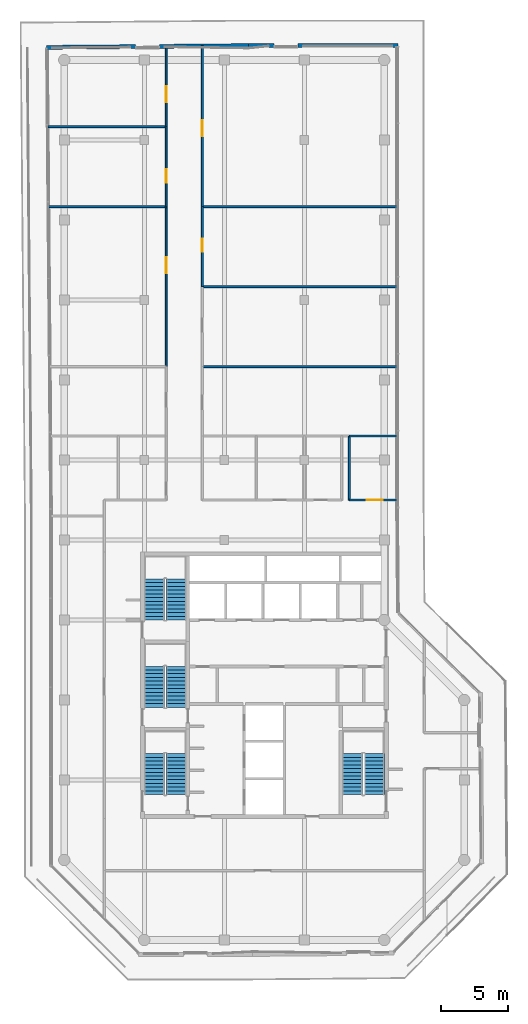
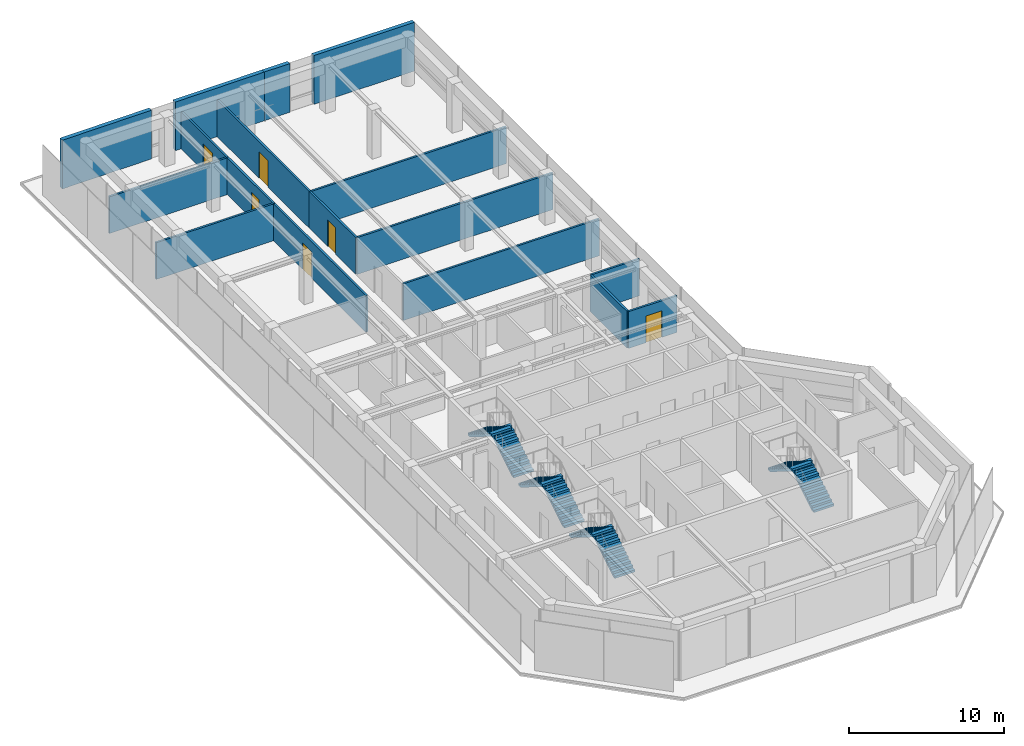
# One storey, part 16 of 18: 17 walls, 8 stair flights, 6 doors, 6 openings, 4 elements without a shape of their own.
"""IFC4 building model written with IfcOpenShell, lengths in metres."""

import ifcopenshell
import ifcopenshell.guid

model = None  # the IFC model being written
_history = None  # IfcOwnerHistory: only IFC2X3 demands one
_inside = {}  # id of a spatial element -> (the spatial element, [elements in it])
_under = {}  # id of a project, library or spatial element -> (it, [spatial elements below it])
_declared = {}  # id of a project -> (the project, [libraries it declares])
_typed = {}  # id of a type object -> (the type object, [elements of that type])
_made_of = {}  # id of a material, layer set ... -> (it, [elements and type objects made of it])


def new_model(schema):
    """Start an empty IFC model of exactly this schema.

    Asked for "IFC4X3", IfcOpenShell would pick the latest addendum, in which some entities
    have other attributes; the version numbers below select the first issue.
    IFC2X3 requires an IfcOwnerHistory on every rooted entity: one is made here for all.
    """
    global model, _history
    if schema == "IFC4X3":
        model = ifcopenshell.file(schema_version=(4, 3, 0, 0))
    else:
        model = ifcopenshell.file(schema=schema)
    _inside.clear()
    _under.clear()
    _declared.clear()
    _typed.clear()
    _made_of.clear()
    _history = None
    if model.schema == "IFC2X3":
        org = make("IfcOrganization", Name="unknown")
        user = make(
            "IfcPersonAndOrganization",
            ThePerson=make("IfcPerson", FamilyName="unknown"),
            TheOrganization=org,
        )
        app = make(
            "IfcApplication",
            ApplicationDeveloper=org,
            Version="unknown",
            ApplicationFullName="unknown",
            ApplicationIdentifier="unknown",
        )
        _history = make(
            "IfcOwnerHistory",
            OwningUser=user,
            OwningApplication=app,
            ChangeAction="ADDED",
            CreationDate=0,
        )
    return model


def make(cls, **values):
    """One entity of the class cls with the attributes given. An attribute that is None is left unset."""
    return model.create_entity(
        cls, **{name: value for name, value in values.items() if value is not None}
    )


def rooted(cls, **values):
    """An entity with a GlobalId (a new one), such as an element, a storey or a relation."""
    return make(cls, GlobalId=ifcopenshell.guid.new(), OwnerHistory=_history, **values)


def si_unit(unit_type, name, prefix=None):
    """IfcSIUnit, for example si_unit("LENGTHUNIT", "METRE", prefix="MILLI")."""
    return make("IfcSIUnit", UnitType=unit_type, Prefix=prefix, Name=name)


def assignment(units):
    """IfcUnitAssignment: the units of a project."""
    return None if units is None else make("IfcUnitAssignment", Units=units)


def point(xyz):
    """IfcCartesianPoint."""
    return None if xyz is None else make("IfcCartesianPoint", Coordinates=xyz)


def direction(xyz):
    """IfcDirection."""
    return None if xyz is None else make("IfcDirection", DirectionRatios=xyz)


def frame(location, z_axis=None, x_axis=None):
    """IfcAxis2Placement3D, a coordinate frame: its origin and axes. An axis left out is left unset."""
    return make(
        "IfcAxis2Placement3D",
        Location=point(location),
        Axis=direction(z_axis),
        RefDirection=direction(x_axis),
    )


def frame_2d(location, x_axis=None):
    """IfcAxis2Placement2D, a coordinate frame in the plane: its origin and x axis."""
    return make(
        "IfcAxis2Placement2D", Location=point(location), RefDirection=direction(x_axis)
    )


def origin():
    """The frame at (0, 0, 0) with its axes left unset."""
    return frame((0.0, 0.0, 0.0))


def place(relative_to, where):
    """IfcLocalPlacement: puts the frame where relative to a parent placement (None: the world)."""
    return make(
        "IfcLocalPlacement", PlacementRelTo=relative_to, RelativePlacement=where
    )


def context(
    kind, dimensions, precision=None, world=None, true_north=None, identifier=None
):
    """IfcGeometricRepresentationContext, for example the 3D "Model" context."""
    return make(
        "IfcGeometricRepresentationContext",
        ContextIdentifier=identifier,
        ContextType=kind,
        CoordinateSpaceDimension=dimensions,
        Precision=precision,
        WorldCoordinateSystem=world,
        TrueNorth=true_north,
    )


def subcontext(parent, identifier, kind, view, scale=None):
    """IfcGeometricRepresentationSubContext, for example "Body" below "Model"."""
    return make(
        "IfcGeometricRepresentationSubContext",
        ContextIdentifier=identifier,
        ContextType=kind,
        ParentContext=parent,
        TargetScale=scale,
        TargetView=view,
    )


def project(units=None, contexts=None):
    """IfcProject with its units and contexts."""
    return rooted(
        "IfcProject",
        Name="project",
        RepresentationContexts=contexts,
        UnitsInContext=assignment(units),
    )


def spatial(cls, under=None, at=None, **own):
    """A site, building, storey or space (cls), placed at a placement, below another one or the project."""
    s = rooted(cls, ObjectPlacement=at, **own)
    if under is not None:
        _under.setdefault(under.id(), (under, []))[1].append(s)
    return s


def polyline(points):
    """IfcPolyline through the points."""
    return make("IfcPolyline", Points=[point(p) for p in points])


def profile(cls, at=None, kind="AREA", **sizes):
    """A parametric profile (cls). Its sizes go by their IFC names, for example OverallWidth=200.0."""
    return make(cls, ProfileType=kind, Position=at, **sizes)


def rectangle(**sizes):
    """IfcRectangleProfileDef."""
    return profile("IfcRectangleProfileDef", **sizes)


def outline(outer, holes=None, kind="AREA"):
    """IfcArbitraryClosedProfileDef: a profile drawn as a closed curve; with holes, ...WithVoids."""
    if holes is None:
        return make("IfcArbitraryClosedProfileDef", ProfileType=kind, OuterCurve=outer)
    return make(
        "IfcArbitraryProfileDefWithVoids",
        ProfileType=kind,
        OuterCurve=outer,
        InnerCurves=holes,
    )


def extrude(swept, where, along, depth):
    """IfcExtrudedAreaSolid: the profile swept, set in the frame where, extruded along a direction by depth."""
    return make(
        "IfcExtrudedAreaSolid",
        SweptArea=swept,
        Position=where,
        ExtrudedDirection=direction(along),
        Depth=depth,
    )


def shape(context_of_items, identifier, shape_type, items):
    """IfcShapeRepresentation: the items that make up one representation, for example the "Body"."""
    return make(
        "IfcShapeRepresentation",
        ContextOfItems=context_of_items,
        RepresentationIdentifier=identifier,
        RepresentationType=shape_type,
        Items=items,
    )


def material(Name=None, Category=None):
    """IfcMaterial."""
    return make("IfcMaterial", Name=Name, Category=Category)


def layer(
    of_material, thickness, ventilated=None, Name=None, Category=None, Priority=None
):
    """IfcMaterialLayer: one layer of a wall or slab, of a material (None: an air gap)."""
    return make(
        "IfcMaterialLayer",
        Material=of_material,
        LayerThickness=thickness,
        IsVentilated=ventilated,
        Name=Name,
        Category=Category,
        Priority=Priority,
    )


def layer_set(layers, Name=None):
    """IfcMaterialLayerSet."""
    return make("IfcMaterialLayerSet", MaterialLayers=layers, LayerSetName=Name)


def made_of(thing, what):
    """Note that an element or type object is made of a material, layer set ...; save() writes the relation."""
    if what is not None:
        _made_of.setdefault(what.id(), (what, []))[1].append(thing)
    return thing


def type_object(cls, material=None, **own):
    """A type object (cls), such as IfcWallType, which elements share."""
    return made_of(rooted(cls, **own), material)


def element(
    cls,
    number,
    at=None,
    inside=None,
    cuts=None,
    type_object=None,
    material=None,
    context=None,
    identifier="Body",
    shape_type=None,
    held_by="IfcProductDefinitionShape",
    body=None,
    shapes=None,
    **own,
):
    """One element of the class cls, such as IfcWall. Its Tag is "e" and its number.

    at: its placement. inside: the storey or other place that contains it. cuts: it is an
    opening in that element (IfcRelVoidsElement). A single representation is given by context,
    identifier, shape_type and body (its items); several are given by shapes. held_by: the class
    of the entity that holds the representations. save() writes the other relations.
    """
    e = rooted(cls, Tag="e%d" % number, ObjectPlacement=at, **own)
    if body is not None:
        shapes = [shape(context, identifier, shape_type, body)]
    if shapes is not None:
        e.Representation = make(held_by, Representations=shapes)
    if inside is not None:
        _inside.setdefault(inside.id(), (inside, []))[1].append(e)
    if cuts is not None:
        rooted(
            "IfcRelVoidsElement", RelatingBuildingElement=cuts, RelatedOpeningElement=e
        )
    if type_object is not None:
        _typed.setdefault(type_object.id(), (type_object, []))[1].append(e)
    return made_of(e, material)


def fill(opening, filler):
    """IfcRelFillsElement: the door or window that sits in an opening."""
    return rooted(
        "IfcRelFillsElement",
        RelatingOpeningElement=opening,
        RelatedBuildingElement=filler,
    )


def aggregate(whole, parts):
    """IfcRelAggregates: a whole, such as a stair, and the parts it consists of."""
    return rooted("IfcRelAggregates", RelatingObject=whole, RelatedObjects=parts)


def save(model, path):
    """Write the relations noted so far, then the file.

    IfcRelAggregates (storeys below a building ...), IfcRelContainedInSpatialStructure (elements
    in a storey), IfcRelDefinesByType, IfcRelAssociatesMaterial and IfcRelDeclares: one each for
    every whole, place, type object, material and project.
    """
    for whole, parts in _under.values():
        aggregate(whole, parts)
    for where, things in _inside.values():
        rooted(
            "IfcRelContainedInSpatialStructure",
            RelatedElements=things,
            RelatingStructure=where,
        )
    for kind, things in _typed.values():
        rooted("IfcRelDefinesByType", RelatedObjects=things, RelatingType=kind)
    for what, things in _made_of.values():
        rooted("IfcRelAssociatesMaterial", RelatedObjects=things, RelatingMaterial=what)
    for by, libraries in _declared.values():
        rooted("IfcRelDeclares", RelatingContext=by, RelatedDefinitions=libraries)
    model.write(path)


model = new_model("IFC4")

# Units and contexts
model_context = context("Model", 3, precision=1e-05, world=origin(), true_north=direction((0.0, 1.0)))
body_context = subcontext(model_context, "Body", "Model", "MODEL_VIEW")
ifc_project = project(units=[si_unit("LENGTHUNIT", "METRE"), si_unit("AREAUNIT", "SQUARE_METRE"), si_unit("VOLUMEUNIT", "CUBIC_METRE"), si_unit("PLANEANGLEUNIT", "RADIAN"), si_unit("MASSUNIT", "GRAM", prefix="KILO")], contexts=[model_context])

# Site, building, storey
site_placement = place(None, origin())
site = spatial("IfcSite", under=ifc_project, at=site_placement, CompositionType="ELEMENT")
building_placement = place(site_placement, origin())
building = spatial("IfcBuilding", under=site, at=building_placement, Name="Welwitschia Terrace Campus", CompositionType="ELEMENT")
storey_placement = place(building_placement, frame((0.0, 0.0, 289.39990234375)))
storey = spatial("IfcBuildingStorey", under=building, at=storey_placement, Name="L64", CompositionType="ELEMENT", Elevation=289.39990234375)

# Walls
ifc_material_1 = material(Name="Gypsum board on steel studs", Category="steel")
ifc_layer_1 = layer(ifc_material_1, 0.14990234375)
ifc_layer_set_1 = layer_set([ifc_layer_1], Name="Gypsum board on steel studs")
wall_type_1 = type_object("IfcWallType", Name="Corridor partition 150 EI 30", PredefinedType="PARTITIONING", material=ifc_layer_set_1)
wall_1_placement = place(storey_placement, frame((-1.21630859375, 57.0, 0.0), z_axis=(0.0, 0.0, 1.0), x_axis=(1.0, 0.0, 0.0)))
element("IfcWall", 1, at=wall_1_placement, inside=storey, type_object=wall_type_1, Name="Partition", PredefinedType="PARTITIONING", context=body_context, shape_type="SweptSolid", body=[
    extrude(rectangle(XDim=8.8662109375, YDim=0.14990234375, at=frame_2d((4.43310546875, 0.0))), origin(), (0.0, 0.0, 1.0), 2.900146484375),
])
wall_2_placement = place(storey_placement, frame((-1.179931640625, 51.0, 0.0), z_axis=(0.0, 0.0, 1.0), x_axis=(1.0, 0.0, 0.0)))
element("IfcWall", 2, at=wall_2_placement, inside=storey, type_object=wall_type_1, Name="Partition", PredefinedType="PARTITIONING", context=body_context, shape_type="SweptSolid", body=[
    extrude(rectangle(XDim=8.829833984375, YDim=0.14990234375, at=frame_2d((4.4150390625, 0.0))), origin(), (0.0, 0.0, 1.0), 2.900146484375),
])

# Wall, opening, door
wall_3_placement = place(storey_placement, frame((7.64990234375, 39.0, 0.0), z_axis=(0.0, 0.0, 1.0), x_axis=(0.0, 1.0, 0.0)))
wall_3 = element("IfcWall", 3, at=wall_3_placement, inside=storey, type_object=wall_type_1, Name="Partition", PredefinedType="PARTITIONING", context=body_context, shape_type="SweptSolid", body=[
    extrude(rectangle(XDim=12.0, YDim=0.14990234375, at=frame_2d((6.0, 0.0))), origin(), (0.0, 0.0, 1.0), 2.900146484375),
])
opening_1_placement = place(wall_3_placement, frame((7.0, 0.0, 0.0)))
opening_1 = element("IfcOpeningElement", 4, at=opening_1_placement, cuts=wall_3, Name="Opening DI12", PredefinedType="OPENING", context=body_context, shape_type="SweptSolid", body=[
    extrude(rectangle(XDim=1.199951171875, YDim=2.10009765625, at=frame_2d((0.60009765625, 1.050048828125))), frame((0.0, 0.0849609375, 0.0), z_axis=(0.0, -1.0, 0.0), x_axis=(1.0, 0.0, 0.0)), (0.0, 0.0, 1.0), 0.169921875),
])
ifc_material_2 = material(Name="Timber veneered door", Category="wood")
door_type_1 = type_object("IfcDoorType", Name="Interior door DI12", OperationType="NOTDEFINED", PredefinedType="DOOR", material=ifc_material_2)
door_1_placement = place(opening_1_placement, origin())
door_1 = element("IfcDoor", 5, at=door_1_placement, inside=storey, type_object=door_type_1, Name="Door L64 1139", OperationType="SINGLE_SWING_RIGHT", OverallHeight=2.10009765625, OverallWidth=1.199951171875, PredefinedType="DOOR", context=body_context, shape_type="SweptSolid", body=[
    extrude(rectangle(XDim=1.199951171875, YDim=2.10009765625, at=frame_2d((0.60009765625, 1.050048828125))), frame((0.0, 0.02490234375, 0.0), z_axis=(0.0, -1.0, 0.0), x_axis=(1.0, 0.0, 0.0)), (0.0, 0.0, 1.0), 0.050048828125),
])
fill(opening_1, door_1)

wall_4_placement = place(storey_placement, frame((7.64990234375, 51.0, 0.0), z_axis=(0.0, 0.0, 1.0), x_axis=(0.0, 1.0, 0.0)))
wall_4 = element("IfcWall", 6, at=wall_4_placement, inside=storey, type_object=wall_type_1, Name="Partition", PredefinedType="PARTITIONING", context=body_context, shape_type="SweptSolid", body=[
    extrude(rectangle(XDim=6.0, YDim=0.14990234375, at=frame_2d((3.0, 0.0))), origin(), (0.0, 0.0, 1.0), 2.900146484375),
])
opening_2_placement = place(wall_4_placement, frame((1.800048828125, 0.0, 0.0)))
opening_2 = element("IfcOpeningElement", 7, at=opening_2_placement, cuts=wall_4, Name="Opening DI10", PredefinedType="OPENING", context=body_context, shape_type="SweptSolid", body=[
    extrude(rectangle(XDim=1.0, YDim=2.10009765625, at=frame_2d((0.5, 1.050048828125))), frame((0.0, 0.0849609375, 0.0), z_axis=(0.0, -1.0, 0.0), x_axis=(1.0, 0.0, 0.0)), (0.0, 0.0, 1.0), 0.169921875),
])
ifc_material_3 = material(Name="Timber veneered door", Category="wood")
door_type_2 = type_object("IfcDoorType", Name="Interior door DI10", OperationType="NOTDEFINED", PredefinedType="DOOR", material=ifc_material_3)
door_2_placement = place(opening_2_placement, origin())
door_2 = element("IfcDoor", 8, at=door_2_placement, inside=storey, type_object=door_type_2, Name="Door L64 1140", OperationType="SINGLE_SWING_LEFT", OverallHeight=2.10009765625, OverallWidth=1.0, PredefinedType="DOOR", context=body_context, shape_type="SweptSolid", body=[
    extrude(rectangle(XDim=1.0, YDim=2.10009765625, at=frame_2d((0.5, 1.050048828125))), frame((0.0, 0.02490234375, 0.0), z_axis=(0.0, -1.0, 0.0), x_axis=(1.0, 0.0, 0.0)), (0.0, 0.0, 1.0), 0.050048828125),
])
fill(opening_2, door_2)

wall_5_placement = place(storey_placement, frame((7.64990234375, 57.0, 0.0), z_axis=(0.0, 0.0, 1.0), x_axis=(0.0, 1.0, 0.0)))
wall_5 = element("IfcWall", 9, at=wall_5_placement, inside=storey, type_object=wall_type_1, Name="Partition", PredefinedType="PARTITIONING", context=body_context, shape_type="SweptSolid", body=[
    extrude(rectangle(XDim=6.0361328125, YDim=0.14990234375, at=frame_2d((3.01806640625, 0.0))), origin(), (0.0, 0.0, 1.0), 2.900146484375),
])
opening_3_placement = place(wall_5_placement, frame((1.830078125, 0.0, 0.0)))
opening_3 = element("IfcOpeningElement", 10, at=opening_3_placement, cuts=wall_5, Name="Opening DI12", PredefinedType="OPENING", context=body_context, shape_type="SweptSolid", body=[
    extrude(rectangle(XDim=1.199951171875, YDim=2.10009765625, at=frame_2d((0.60009765625, 1.050048828125))), frame((0.0, 0.0849609375, 0.0), z_axis=(0.0, -1.0, 0.0), x_axis=(1.0, 0.0, 0.0)), (0.0, 0.0, 1.0), 0.169921875),
])
door_3_placement = place(opening_3_placement, origin())
door_3 = element("IfcDoor", 11, at=door_3_placement, inside=storey, type_object=door_type_1, Name="Door L64 1141", OperationType="SINGLE_SWING_RIGHT", OverallHeight=2.10009765625, OverallWidth=1.199951171875, PredefinedType="DOOR", context=body_context, shape_type="SweptSolid", body=[
    extrude(rectangle(XDim=1.199951171875, YDim=2.10009765625, at=frame_2d((0.60009765625, 1.050048828125))), frame((0.0, 0.02490234375, 0.0), z_axis=(0.0, -1.0, 0.0), x_axis=(1.0, 0.0, 0.0)), (0.0, 0.0, 1.0), 0.050048828125),
])
fill(opening_3, door_3)

# Walls
for number, where, z_axis, x_axis, name in (
    (12, (10.35009765625, 39.0, 0.0), (0.0, 0.0, 1.0), (1.0, 0.0, 0.0), "Partition"),
    (13, (10.35009765625, 45.0, 0.0), (0.0, 0.0, 1.0), (1.0, 0.0, 0.0), "Partition"),
):
    element("IfcWall", number, at=place(storey_placement, frame(where, z_axis=z_axis, x_axis=x_axis)), inside=storey, type_object=wall_type_1, Name=name, PredefinedType="PARTITIONING", context=body_context, shape_type="SweptSolid", body=[
        extrude(rectangle(XDim=14.6298828125, YDim=0.14990234375, at=frame_2d((7.31494140625, 0.0))), origin(), (0.0, 0.0, 1.0), 2.900146484375),
    ])

# Wall, opening, door
wall_6_placement = place(storey_placement, frame((10.35009765625, 51.0, 0.0), z_axis=(0.0, 0.0, 1.0), x_axis=(0.0, -1.0, 0.0)))
wall_6 = element("IfcWall", 14, at=wall_6_placement, inside=storey, type_object=wall_type_1, Name="Partition", PredefinedType="PARTITIONING", context=body_context, shape_type="SweptSolid", body=[
    extrude(rectangle(XDim=6.0, YDim=0.14990234375, at=frame_2d((3.0, 0.0))), origin(), (0.0, 0.0, 1.0), 2.900146484375),
])
opening_4_placement = place(wall_6_placement, frame((2.39990234375, 0.0, 0.0)))
opening_4 = element("IfcOpeningElement", 15, at=opening_4_placement, cuts=wall_6, Name="Opening DI10", PredefinedType="OPENING", context=body_context, shape_type="SweptSolid", body=[
    extrude(rectangle(XDim=1.0, YDim=2.10009765625, at=frame_2d((0.5, 1.050048828125))), frame((0.0, 0.0849609375, 0.0), z_axis=(0.0, -1.0, 0.0), x_axis=(1.0, 0.0, 0.0)), (0.0, 0.0, 1.0), 0.169921875),
])
door_4_placement = place(opening_4_placement, origin())
door_4 = element("IfcDoor", 16, at=door_4_placement, inside=storey, type_object=door_type_2, Name="Door L64 1144", OperationType="SINGLE_SWING_LEFT", OverallHeight=2.10009765625, OverallWidth=1.0, PredefinedType="DOOR", context=body_context, shape_type="SweptSolid", body=[
    extrude(rectangle(XDim=1.0, YDim=2.10009765625, at=frame_2d((0.5, 1.050048828125))), frame((0.0, 0.02490234375, 0.0), z_axis=(0.0, -1.0, 0.0), x_axis=(1.0, 0.0, 0.0)), (0.0, 0.0, 1.0), 0.050048828125),
])
fill(opening_4, door_4)

# Wall
wall_7_placement = place(storey_placement, frame((10.35009765625, 51.0, 0.0), z_axis=(0.0, 0.0, 1.0), x_axis=(1.0, 0.0, 0.0)))
element("IfcWall", 17, at=wall_7_placement, inside=storey, type_object=wall_type_1, Name="Partition", PredefinedType="PARTITIONING", context=body_context, shape_type="SweptSolid", body=[
    extrude(rectangle(XDim=14.6298828125, YDim=0.14990234375, at=frame_2d((7.31494140625, 0.0))), origin(), (0.0, 0.0, 1.0), 2.900146484375),
])

# Wall, opening, door
wall_8_placement = place(storey_placement, frame((10.35009765625, 63.059814453125, 0.0), z_axis=(0.0, 0.0, 1.0), x_axis=(0.0, -1.0, 0.0)))
wall_8 = element("IfcWall", 18, at=wall_8_placement, inside=storey, type_object=wall_type_1, Name="Partition", PredefinedType="PARTITIONING", context=body_context, shape_type="SweptSolid", body=[
    extrude(rectangle(XDim=12.059814453125, YDim=0.14990234375, at=frame_2d((6.02978515625, 0.0))), origin(), (0.0, 0.0, 1.0), 2.900146484375),
])
opening_5_placement = place(wall_8_placement, frame((5.559814453125, 0.0, 0.0)))
opening_5 = element("IfcOpeningElement", 19, at=opening_5_placement, cuts=wall_8, Name="Opening DI12", PredefinedType="OPENING", context=body_context, shape_type="SweptSolid", body=[
    extrude(rectangle(XDim=1.199951171875, YDim=2.10009765625, at=frame_2d((0.60009765625, 1.050048828125))), frame((0.0, 0.0849609375, 0.0), z_axis=(0.0, -1.0, 0.0), x_axis=(1.0, 0.0, 0.0)), (0.0, 0.0, 1.0), 0.169921875),
])
door_5_placement = place(opening_5_placement, origin())
door_5 = element("IfcDoor", 20, at=door_5_placement, inside=storey, type_object=door_type_1, Name="Door L64 1145", OperationType="SINGLE_SWING_RIGHT", OverallHeight=2.10009765625, OverallWidth=1.199951171875, PredefinedType="DOOR", context=body_context, shape_type="SweptSolid", body=[
    extrude(rectangle(XDim=1.199951171875, YDim=2.10009765625, at=frame_2d((0.60009765625, 1.050048828125))), frame((0.0, 0.02490234375, 0.0), z_axis=(0.0, -1.0, 0.0), x_axis=(1.0, 0.0, 0.0)), (0.0, 0.0, 1.0), 0.050048828125),
])
fill(opening_5, door_5)

# Wall
wall_9_placement = place(storey_placement, frame((21.3798828125, 29.0, 0.0), z_axis=(0.0, 0.0, 1.0), x_axis=(0.0, 1.0, 0.0)))
element("IfcWall", 21, at=wall_9_placement, inside=storey, type_object=wall_type_1, Name="Partition", PredefinedType="PARTITIONING", context=body_context, shape_type="SweptSolid", body=[
    extrude(rectangle(XDim=4.800048828125, YDim=0.14990234375, at=frame_2d((2.39990234375, 0.0))), origin(), (0.0, 0.0, 1.0), 2.900146484375),
])

# Wall, opening, door
wall_10_placement = place(storey_placement, frame((21.3798828125, 29.0, 0.0), z_axis=(0.0, 0.0, 1.0), x_axis=(1.0, 0.0, 0.0)))
wall_10 = element("IfcWall", 22, at=wall_10_placement, inside=storey, type_object=wall_type_1, Name="Partition", PredefinedType="PARTITIONING", context=body_context, shape_type="SweptSolid", body=[
    extrude(rectangle(XDim=3.60009765625, YDim=0.14990234375, at=frame_2d((1.800048828125, 0.0))), origin(), (0.0, 0.0, 1.0), 2.900146484375),
])
opening_6_placement = place(wall_10_placement, frame((1.300048828125, 0.0, 0.0)))
opening_6 = element("IfcOpeningElement", 23, at=opening_6_placement, cuts=wall_10, Name="Opening DX12", PredefinedType="OPENING", context=body_context, shape_type="SweptSolid", body=[
    extrude(rectangle(XDim=1.199951171875, YDim=2.10009765625, at=frame_2d((0.60009765625, 1.050048828125))), frame((0.0, 0.0849609375, 0.0), z_axis=(0.0, -1.0, 0.0), x_axis=(1.0, 0.0, 0.0)), (0.0, 0.0, 1.0), 0.169921875),
])
ifc_material_4 = material(Name="Timber veneered door", Category="wood")
door_type_3 = type_object("IfcDoorType", Name="Interior door DX12", OperationType="NOTDEFINED", PredefinedType="DOOR", material=ifc_material_4)
door_6_placement = place(opening_6_placement, origin())
door_6 = element("IfcDoor", 24, at=door_6_placement, inside=storey, type_object=door_type_3, Name="Door L64 1148", OperationType="SINGLE_SWING_LEFT", OverallHeight=2.10009765625, OverallWidth=1.199951171875, PredefinedType="DOOR", context=body_context, shape_type="SweptSolid", body=[
    extrude(rectangle(XDim=1.199951171875, YDim=2.10009765625, at=frame_2d((0.60009765625, 1.050048828125))), frame((0.0, 0.02490234375, 0.0), z_axis=(0.0, -1.0, 0.0), x_axis=(1.0, 0.0, 0.0)), (0.0, 0.0, 1.0), 0.050048828125),
])
fill(opening_6, door_6)

# Walls
wall_11_placement = place(storey_placement, frame((21.3798828125, 33.800048828125, 0.0), z_axis=(0.0, 0.0, 1.0), x_axis=(1.0, 0.0, 0.0)))
element("IfcWall", 25, at=wall_11_placement, inside=storey, type_object=wall_type_1, Name="Partition", PredefinedType="PARTITIONING", context=body_context, shape_type="SweptSolid", body=[
    extrude(rectangle(XDim=3.60009765625, YDim=0.14990234375, at=frame_2d((1.800048828125, 0.0))), origin(), (0.0, 0.0, 1.0), 2.900146484375),
])
ifc_material_5 = material(Name="Concrete C40/50", Category="concrete")
ifc_layer_2 = layer(ifc_material_5, 0.300048828125)
ifc_layer_set_2 = layer_set([ifc_layer_2], Name="Concrete C40/50")
wall_type_2 = type_object("IfcWallType", Name="Mass wall 300", PredefinedType="SOLIDWALL", material=ifc_layer_set_2)
wall_12_placement = place(storey_placement, frame((25.030029296875, 63.078125, 0.0), z_axis=(0.0, 0.0, 1.0), x_axis=(-1.0, 0.0, 0.0)))
element("IfcWall", 26, at=wall_12_placement, inside=storey, type_object=wall_type_2, Name="Mass wall L64.10.0", PredefinedType="SOLIDWALL", context=body_context, shape_type="SweptSolid", body=[
    extrude(rectangle(XDim=7.506103515625, YDim=0.300048828125, at=frame_2d((3.7529296875, 0.0))), origin(), (0.0, 0.0, 1.0), 3.85009765625),
])
wall_13_placement = place(storey_placement, frame((15.723876953125, 63.080078125, 0.0), z_axis=(0.0, 0.0, 1.0), x_axis=(-1.0, 0.0, 0.0)))
element("IfcWall", 27, at=wall_13_placement, inside=storey, type_object=wall_type_2, Name="Mass wall L64.10.1", PredefinedType="SOLIDWALL", context=body_context, shape_type="SweptSolid", body=[
    extrude(rectangle(XDim=1.902099609375, YDim=0.300048828125, at=frame_2d((0.951171875, 0.0))), origin(), (0.0, 0.0, 1.0), 3.85009765625),
])
wall_14_placement = place(storey_placement, frame((13.8212890625, 63.080078125, 0.0), z_axis=(0.0, 0.0, 1.0), x_axis=(-0.999961815264, -0.008738879401, 0.0)))
element("IfcWall", 28, at=wall_14_placement, inside=storey, type_object=wall_type_2, Name="Mass wall L64.11.0", PredefinedType="SOLIDWALL", context=body_context, shape_type="SweptSolid", body=[
    extrude(rectangle(XDim=6.677001953125, YDim=0.300048828125, at=frame_2d((3.33837890625, 0.0))), origin(), (0.0, 0.0, 1.0), 3.85009765625),
])
wall_15_placement = place(storey_placement, frame((5.3447265625, 63.004150390625, 0.0), z_axis=(0.0, 0.0, 1.0), x_axis=(-0.999961818057, -0.008738559893, 0.0)))
element("IfcWall", 29, at=wall_15_placement, inside=storey, type_object=wall_type_2, Name="Mass wall L64.11.1", PredefinedType="SOLIDWALL", context=body_context, shape_type="SweptSolid", body=[
    extrude(rectangle(XDim=6.67724609375, YDim=0.300048828125, at=frame_2d((3.338623046875, 0.0))), origin(), (0.0, 0.0, 1.0), 3.85009765625),
])

# Stair, stair flights
ifc_material_6 = material(Name="Concrete C40/50", Category="concrete")
stair_type = type_object("IfcStairType", Name="Stair 24R 175 W1500", PredefinedType="HALF_TURN_STAIR", material=ifc_material_6)
stair_1_placement = place(storey_placement, origin())
stair_1 = element("IfcStair", 30, at=stair_1_placement, inside=storey, type_object=stair_type, Name="L64 Exit stair S1", PredefinedType="HALF_TURN_STAIR")
ifc_material_7 = material(Name="Concrete C40/50", Category="concrete")
stair_flight_type = type_object("IfcStairFlightType", Name="Stair flight 24R 175 W1500", PredefinedType="STRAIGHT", material=ifc_material_7)
stair_flight_1_placement = place(storey_placement, frame((8.39990234375, 6.89990234375, 0.0), z_axis=(0.0, 0.0, 1.0), x_axis=(0.0, 1.0, 0.0)))
stair_flight_1 = element("IfcStairFlight", 31, at=stair_flight_1_placement, type_object=stair_flight_type, Name="S1 flight 1", NumberOfRisers=12, NumberOfTreads=11, PredefinedType="STRAIGHT", RiserHeight=0.175, TreadLength=0.28, context=body_context, shape_type="SweptSolid", body=[
    extrude(outline(polyline([(0.0, 0.0), (0.0, 0.175048828125), (0.280029296875, 0.175048828125), (0.280029296875, 0.35009765625), (0.56005859375, 0.35009765625), (0.56005859375, 0.52490234375), (0.840087890625, 0.52490234375), (0.840087890625, 0.699951171875), (1.1201171875, 0.699951171875), (1.1201171875, 0.875), (1.39990234375, 0.875), (1.39990234375, 1.050048828125), (1.679931640625, 1.050048828125), (1.679931640625, 1.22509765625), (1.9599609375, 1.22509765625), (1.9599609375, 1.39990234375), (2.239990234375, 1.39990234375), (2.239990234375, 1.574951171875), (2.52001953125, 1.574951171875), (2.52001953125, 1.75), (2.800048828125, 1.75), (2.800048828125, 1.925048828125), (3.080078125, 1.925048828125), (3.080078125, 2.10009765625), (3.080078125, 1.748291015625), (0.28271484375, 0.0), (0.0, 0.0)])), frame((0.0, 0.75, 0.0), z_axis=(0.0, -1.0, 0.0), x_axis=(1.0, 0.0, 0.0)), (0.0, 0.0, 1.0), 1.5),
])
stair_flight_2_placement = place(storey_placement, frame((6.75, 9.97998046875, 2.10009765625), z_axis=(0.0, 0.0, 1.0), x_axis=(0.0, -1.0, 0.0)))
stair_flight_2 = element("IfcStairFlight", 32, at=stair_flight_2_placement, type_object=stair_flight_type, Name="S1 flight 2", NumberOfRisers=12, NumberOfTreads=11, PredefinedType="STRAIGHT", RiserHeight=0.175, TreadLength=0.28, context=body_context, shape_type="SweptSolid", body=[
    extrude(outline(polyline([(0.0, 0.0), (0.0, 0.175048828125), (0.280029296875, 0.175048828125), (0.280029296875, 0.35009765625), (0.56005859375, 0.35009765625), (0.56005859375, 0.52490234375), (0.840087890625, 0.52490234375), (0.840087890625, 0.699951171875), (1.1201171875, 0.699951171875), (1.1201171875, 0.875), (1.39990234375, 0.875), (1.39990234375, 1.050048828125), (1.679931640625, 1.050048828125), (1.679931640625, 1.22509765625), (1.9599609375, 1.22509765625), (1.9599609375, 1.39990234375), (2.239990234375, 1.39990234375), (2.239990234375, 1.574951171875), (2.52001953125, 1.574951171875), (2.52001953125, 1.75), (2.800048828125, 1.75), (2.800048828125, 1.925048828125), (3.080078125, 1.925048828125), (3.080078125, 2.10009765625), (3.080078125, 1.748291015625), (0.28271484375, 0.0), (0.0, 0.0)])), frame((0.0, 0.75, 0.0), z_axis=(0.0, -1.0, 0.0), x_axis=(1.0, 0.0, 0.0)), (0.0, 0.0, 1.0), 1.5),
])
aggregate(stair_1, [stair_flight_1, stair_flight_2])

stair_2_placement = place(storey_placement, origin())
stair_2 = element("IfcStair", 33, at=stair_2_placement, inside=storey, type_object=stair_type, Name="L64 Exit stair S3", PredefinedType="HALF_TURN_STAIR")
stair_flight_3_placement = place(storey_placement, frame((8.39990234375, 13.449951171875, 0.0), z_axis=(0.0, 0.0, 1.0), x_axis=(0.0, 1.0, 0.0)))
stair_flight_3 = element("IfcStairFlight", 34, at=stair_flight_3_placement, type_object=stair_flight_type, Name="S3 flight 1", NumberOfRisers=12, NumberOfTreads=11, PredefinedType="STRAIGHT", RiserHeight=0.175, TreadLength=0.28, context=body_context, shape_type="SweptSolid", body=[
    extrude(outline(polyline([(0.0, 0.0), (0.0, 0.175048828125), (0.280029296875, 0.175048828125), (0.280029296875, 0.35009765625), (0.56005859375, 0.35009765625), (0.56005859375, 0.52490234375), (0.840087890625, 0.52490234375), (0.840087890625, 0.699951171875), (1.1201171875, 0.699951171875), (1.1201171875, 0.875), (1.39990234375, 0.875), (1.39990234375, 1.050048828125), (1.679931640625, 1.050048828125), (1.679931640625, 1.22509765625), (1.9599609375, 1.22509765625), (1.9599609375, 1.39990234375), (2.239990234375, 1.39990234375), (2.239990234375, 1.574951171875), (2.52001953125, 1.574951171875), (2.52001953125, 1.75), (2.800048828125, 1.75), (2.800048828125, 1.925048828125), (3.080078125, 1.925048828125), (3.080078125, 2.10009765625), (3.080078125, 1.748291015625), (0.28271484375, 0.0), (0.0, 0.0)])), frame((0.0, 0.75, 0.0), z_axis=(0.0, -1.0, 0.0), x_axis=(1.0, 0.0, 0.0)), (0.0, 0.0, 1.0), 1.5),
])
stair_flight_4_placement = place(storey_placement, frame((6.75, 16.530029296875, 2.10009765625), z_axis=(0.0, 0.0, 1.0), x_axis=(0.0, -1.0, 0.0)))
stair_flight_4 = element("IfcStairFlight", 35, at=stair_flight_4_placement, type_object=stair_flight_type, Name="S3 flight 2", NumberOfRisers=12, NumberOfTreads=11, PredefinedType="STRAIGHT", RiserHeight=0.175, TreadLength=0.28, context=body_context, shape_type="SweptSolid", body=[
    extrude(outline(polyline([(0.0, 0.0), (0.0, 0.175048828125), (0.280029296875, 0.175048828125), (0.280029296875, 0.35009765625), (0.56005859375, 0.35009765625), (0.56005859375, 0.52490234375), (0.840087890625, 0.52490234375), (0.840087890625, 0.699951171875), (1.1201171875, 0.699951171875), (1.1201171875, 0.875), (1.39990234375, 0.875), (1.39990234375, 1.050048828125), (1.679931640625, 1.050048828125), (1.679931640625, 1.22509765625), (1.9599609375, 1.22509765625), (1.9599609375, 1.39990234375), (2.239990234375, 1.39990234375), (2.239990234375, 1.574951171875), (2.52001953125, 1.574951171875), (2.52001953125, 1.75), (2.800048828125, 1.75), (2.800048828125, 1.925048828125), (3.080078125, 1.925048828125), (3.080078125, 2.10009765625), (3.080078125, 1.748291015625), (0.28271484375, 0.0), (0.0, 0.0)])), frame((0.0, 0.75, 0.0), z_axis=(0.0, -1.0, 0.0), x_axis=(1.0, 0.0, 0.0)), (0.0, 0.0, 1.0), 1.5),
])
aggregate(stair_2, [stair_flight_3, stair_flight_4])

stair_3_placement = place(storey_placement, origin())
stair_3 = element("IfcStair", 36, at=stair_3_placement, inside=storey, type_object=stair_type, Name="L64 Exit stair S4", PredefinedType="HALF_TURN_STAIR")
stair_flight_5_placement = place(storey_placement, frame((8.39990234375, 20.0, 0.0), z_axis=(0.0, 0.0, 1.0), x_axis=(0.0, 1.0, 0.0)))
stair_flight_5 = element("IfcStairFlight", 37, at=stair_flight_5_placement, type_object=stair_flight_type, Name="S4 flight 1", NumberOfRisers=12, NumberOfTreads=11, PredefinedType="STRAIGHT", RiserHeight=0.175, TreadLength=0.28, context=body_context, shape_type="SweptSolid", body=[
    extrude(outline(polyline([(0.0, 0.0), (0.0, 0.175048828125), (0.280029296875, 0.175048828125), (0.280029296875, 0.35009765625), (0.56005859375, 0.35009765625), (0.56005859375, 0.52490234375), (0.840087890625, 0.52490234375), (0.840087890625, 0.699951171875), (1.1201171875, 0.699951171875), (1.1201171875, 0.875), (1.39990234375, 0.875), (1.39990234375, 1.050048828125), (1.679931640625, 1.050048828125), (1.679931640625, 1.22509765625), (1.9599609375, 1.22509765625), (1.9599609375, 1.39990234375), (2.239990234375, 1.39990234375), (2.239990234375, 1.574951171875), (2.52001953125, 1.574951171875), (2.52001953125, 1.75), (2.800048828125, 1.75), (2.800048828125, 1.925048828125), (3.080078125, 1.925048828125), (3.080078125, 2.10009765625), (3.080078125, 1.748291015625), (0.28271484375, 0.0), (0.0, 0.0)])), frame((0.0, 0.75, 0.0), z_axis=(0.0, -1.0, 0.0), x_axis=(1.0, 0.0, 0.0)), (0.0, 0.0, 1.0), 1.5),
])
stair_flight_6_placement = place(storey_placement, frame((6.75, 23.080078125, 2.10009765625), z_axis=(0.0, 0.0, 1.0), x_axis=(0.0, -1.0, 0.0)))
stair_flight_6 = element("IfcStairFlight", 38, at=stair_flight_6_placement, type_object=stair_flight_type, Name="S4 flight 2", NumberOfRisers=12, NumberOfTreads=11, PredefinedType="STRAIGHT", RiserHeight=0.175, TreadLength=0.28, context=body_context, shape_type="SweptSolid", body=[
    extrude(outline(polyline([(0.0, 0.0), (0.0, 0.175048828125), (0.280029296875, 0.175048828125), (0.280029296875, 0.35009765625), (0.56005859375, 0.35009765625), (0.56005859375, 0.52490234375), (0.840087890625, 0.52490234375), (0.840087890625, 0.699951171875), (1.1201171875, 0.699951171875), (1.1201171875, 0.875), (1.39990234375, 0.875), (1.39990234375, 1.050048828125), (1.679931640625, 1.050048828125), (1.679931640625, 1.22509765625), (1.9599609375, 1.22509765625), (1.9599609375, 1.39990234375), (2.239990234375, 1.39990234375), (2.239990234375, 1.574951171875), (2.52001953125, 1.574951171875), (2.52001953125, 1.75), (2.800048828125, 1.75), (2.800048828125, 1.925048828125), (3.080078125, 1.925048828125), (3.080078125, 2.10009765625), (3.080078125, 1.748291015625), (0.28271484375, 0.0), (0.0, 0.0)])), frame((0.0, 0.75, 0.0), z_axis=(0.0, -1.0, 0.0), x_axis=(1.0, 0.0, 0.0)), (0.0, 0.0, 1.0), 1.5),
])
aggregate(stair_3, [stair_flight_5, stair_flight_6])

stair_4_placement = place(storey_placement, origin())
stair_4 = element("IfcStair", 39, at=stair_4_placement, inside=storey, type_object=stair_type, Name="L64 Exit stair S2", PredefinedType="HALF_TURN_STAIR")
stair_flight_7_placement = place(storey_placement, frame((23.25, 6.89990234375, 0.0), z_axis=(0.0, 0.0, 1.0), x_axis=(0.0, 1.0, 0.0)))
stair_flight_7 = element("IfcStairFlight", 40, at=stair_flight_7_placement, type_object=stair_flight_type, Name="S2 flight 1", NumberOfRisers=12, NumberOfTreads=11, PredefinedType="STRAIGHT", RiserHeight=0.175, TreadLength=0.28, context=body_context, shape_type="SweptSolid", body=[
    extrude(outline(polyline([(0.0, 0.0), (0.0, 0.175048828125), (0.280029296875, 0.175048828125), (0.280029296875, 0.35009765625), (0.56005859375, 0.35009765625), (0.56005859375, 0.52490234375), (0.840087890625, 0.52490234375), (0.840087890625, 0.699951171875), (1.1201171875, 0.699951171875), (1.1201171875, 0.875), (1.39990234375, 0.875), (1.39990234375, 1.050048828125), (1.679931640625, 1.050048828125), (1.679931640625, 1.22509765625), (1.9599609375, 1.22509765625), (1.9599609375, 1.39990234375), (2.239990234375, 1.39990234375), (2.239990234375, 1.574951171875), (2.52001953125, 1.574951171875), (2.52001953125, 1.75), (2.800048828125, 1.75), (2.800048828125, 1.925048828125), (3.080078125, 1.925048828125), (3.080078125, 2.10009765625), (3.080078125, 1.748291015625), (0.28271484375, 0.0), (0.0, 0.0)])), frame((0.0, 0.75, 0.0), z_axis=(0.0, -1.0, 0.0), x_axis=(1.0, 0.0, 0.0)), (0.0, 0.0, 1.0), 1.5),
])
stair_flight_8_placement = place(storey_placement, frame((21.60009765625, 9.97998046875, 2.10009765625), z_axis=(0.0, 0.0, 1.0), x_axis=(0.0, -1.0, 0.0)))
stair_flight_8 = element("IfcStairFlight", 41, at=stair_flight_8_placement, type_object=stair_flight_type, Name="S2 flight 2", NumberOfRisers=12, NumberOfTreads=11, PredefinedType="STRAIGHT", RiserHeight=0.175, TreadLength=0.28, context=body_context, shape_type="SweptSolid", body=[
    extrude(outline(polyline([(0.0, 0.0), (0.0, 0.175048828125), (0.280029296875, 0.175048828125), (0.280029296875, 0.35009765625), (0.56005859375, 0.35009765625), (0.56005859375, 0.52490234375), (0.840087890625, 0.52490234375), (0.840087890625, 0.699951171875), (1.1201171875, 0.699951171875), (1.1201171875, 0.875), (1.39990234375, 0.875), (1.39990234375, 1.050048828125), (1.679931640625, 1.050048828125), (1.679931640625, 1.22509765625), (1.9599609375, 1.22509765625), (1.9599609375, 1.39990234375), (2.239990234375, 1.39990234375), (2.239990234375, 1.574951171875), (2.52001953125, 1.574951171875), (2.52001953125, 1.75), (2.800048828125, 1.75), (2.800048828125, 1.925048828125), (3.080078125, 1.925048828125), (3.080078125, 2.10009765625), (3.080078125, 1.748291015625), (0.28271484375, 0.0), (0.0, 0.0)])), frame((0.0, 0.75, 0.0), z_axis=(0.0, -1.0, 0.0), x_axis=(1.0, 0.0, 0.0)), (0.0, 0.0, 1.0), 1.5),
])
aggregate(stair_4, [stair_flight_7, stair_flight_8])

save(model, "model.ifc")
